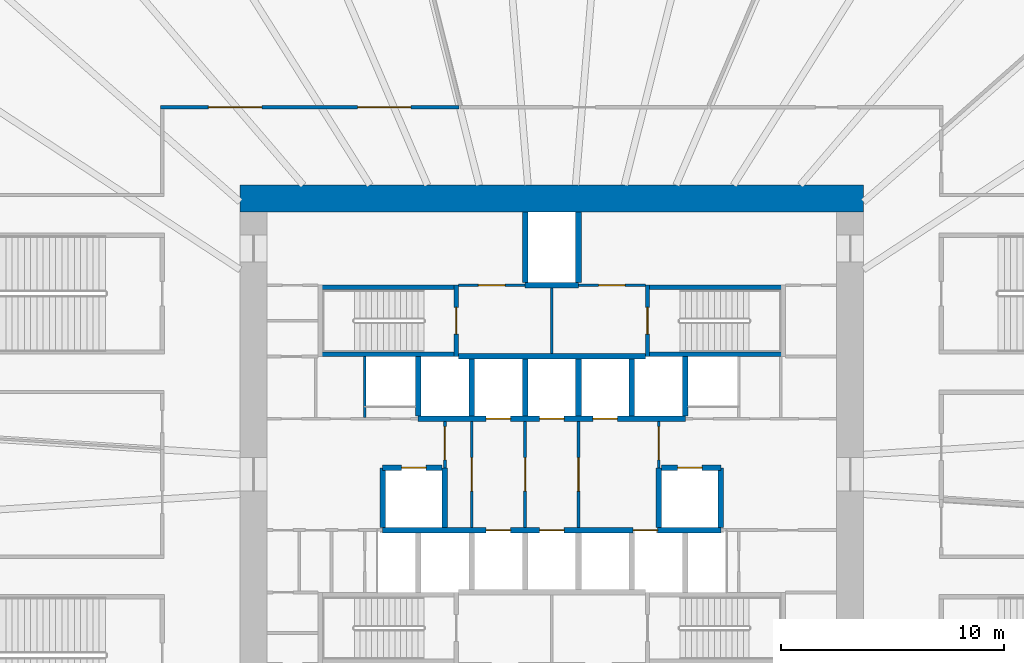
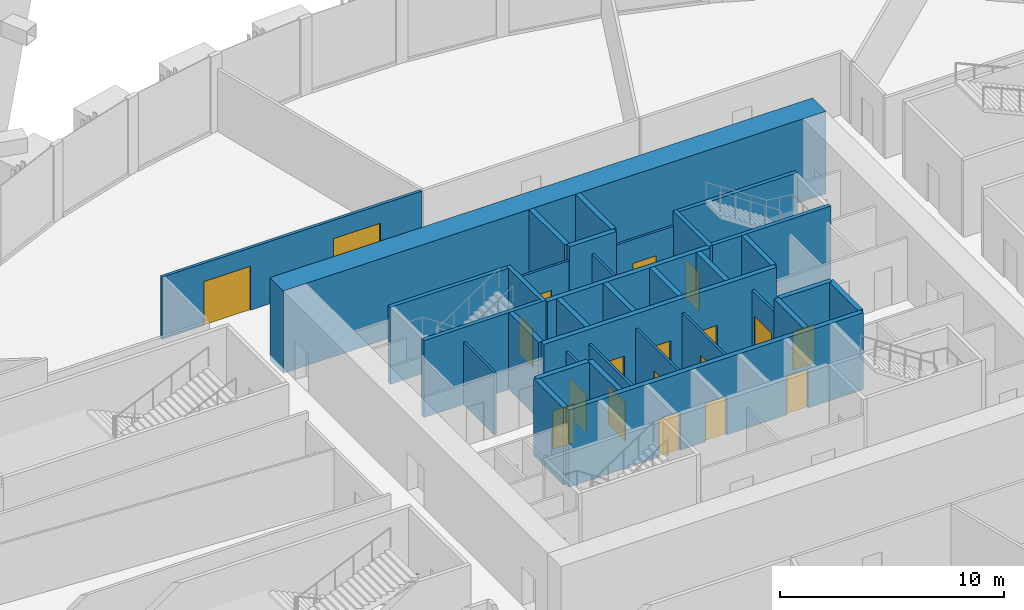
# One storey, part 10 of 23: 35 walls, 19 doors, 19 openings.
"""IFC4 building model written with IfcOpenShell, lengths in metres."""

from ifc_helpers import new_model, si_unit, direction, frame, frame_2d, origin, place, context, subcontext, project, spatial, rectangle, extrude, source, transform, mapped, material, layer, layer_set, type_object, element, fill, save


model = new_model("IFC4")

# Units and contexts
model_context = context("Model", 3, precision=1e-05, world=origin(), true_north=direction((0.0, 1.0)))
body_context = subcontext(model_context, "Body", "Model", "MODEL_VIEW")
ifc_project = project(units=[si_unit("LENGTHUNIT", "METRE"), si_unit("AREAUNIT", "SQUARE_METRE"), si_unit("VOLUMEUNIT", "CUBIC_METRE"), si_unit("PLANEANGLEUNIT", "RADIAN"), si_unit("MASSUNIT", "GRAM", prefix="KILO")], contexts=[model_context])

# Site, building, storey
site_placement = place(None, origin())
site = spatial("IfcSite", under=ifc_project, at=site_placement, CompositionType="ELEMENT")
building_placement = place(site_placement, origin())
building = spatial("IfcBuilding", under=site, at=building_placement, Name="Embergate Tower", CompositionType="ELEMENT")
storey_placement = place(building_placement, frame((0.0, 0.0, 29.0)))
storey = spatial("IfcBuildingStorey", under=building, at=storey_placement, Name="L03", CompositionType="ELEMENT", Elevation=29.0)

# Walls
ifc_material_1 = material(Name="Concrete C80", Category="concrete")
ifc_layer_1 = layer(ifc_material_1, 1.199951171875)
ifc_layer_set_1 = layer_set([ifc_layer_1], Name="Concrete C80")
wall_type_1 = type_object("IfcWallType", Name="Core outer wall C80 1200", PredefinedType="SHEAR", material=ifc_layer_set_1)
shared_shape_1 = source(origin(), body_context, "Body", "SweptSolid", [
    extrude(rectangle(XDim=28.0, YDim=1.199951171875, at=frame_2d((14.0, 0.0))), origin(), (0.0, 0.0, 1.0), 4.5),
])
wall_1_placement = place(storey_placement, frame((-14.0, 12.39990234375, -0.300048828125), z_axis=(0.0, 0.0, 1.0), x_axis=(1.0, 0.0, 0.0)))
element("IfcWall", 1, at=wall_1_placement, inside=storey, type_object=wall_type_1, Name="CW-L03-N", PredefinedType="SHEAR", context=body_context, shape_type="MappedRepresentation", body=[
    mapped(shared_shape_1, transform((0.0, 0.0, 0.0))),
])
ifc_material_2 = material(Name="Concrete C50", Category="concrete")
ifc_layer_2 = layer(ifc_material_2, 0.25)
ifc_layer_set_2 = layer_set([ifc_layer_2], Name="Concrete C50")
wall_type_2 = type_object("IfcWallType", Name="Hoistway wall reinforced concrete 250", PredefinedType="SHEAR", material=ifc_layer_set_2)
shared_shape_2 = source(origin(), body_context, "Body", "SweptSolid", [
    extrude(rectangle(XDim=2.675048828125, YDim=0.25, at=frame_2d((1.33740234375, 0.0))), origin(), (0.0, 0.0, 1.0), 4.199951171875),
])
for number, where, z_axis, x_axis, name in (
    (2, (-6.0, 2.625, 0.0), (0.0, 0.0, 1.0), (0.0, 1.0, 0.0), "HW-1 wall"),
    (3, (6.0, 2.625, 0.0), (0.0, 0.0, 1.0), (0.0, 1.0, 0.0), "HW-1 wall"),
    (4, (-4.800048828125, 0.300048828125, 0.0), (0.0, 0.0, 1.0), (0.0, -1.0, 0.0), "HW-1 wall"),
    (5, (4.800048828125, -2.375, 0.0), (0.0, 0.0, 1.0), (0.0, 1.0, 0.0), "HW-1 wall"),
):
    element("IfcWall", number, at=place(storey_placement, frame(where, z_axis=z_axis, x_axis=x_axis)), inside=storey, type_object=wall_type_2, Name=name, PredefinedType="SHEAR", context=body_context, shape_type="MappedRepresentation", body=[
        mapped(shared_shape_2, transform((0.0, 0.0, 0.0))),
    ])

# Wall, opening, door
wall_2_placement = place(storey_placement, frame((-4.925048828125, 0.300048828125, 0.0), z_axis=(0.0, 0.0, 1.0), x_axis=(-1.0, 0.0, 0.0)))
wall_2 = element("IfcWall", 6, at=wall_2_placement, inside=storey, type_object=wall_type_2, Name="HW-1 wall", PredefinedType="SHEAR", context=body_context, shape_type="MappedRepresentation", body=[
    mapped(shared_shape_2, transform((0.0, 0.0, 0.0))),
])
shared_shape_3 = source(origin(), body_context, "Body", "SweptSolid", [
    extrude(rectangle(XDim=1.10009765625, YDim=2.10009765625, at=frame_2d((0.550048828125, 1.050048828125))), frame((0.0, 0.135009765625, 0.0), z_axis=(0.0, -1.0, 0.0), x_axis=(1.0, 0.0, 0.0)), (0.0, 0.0, 1.0), 0.27001953125),
])
opening_1_placement = place(wall_2_placement, frame((0.72509765625, 0.0, 0.0)))
opening_1 = element("IfcOpeningElement", 7, at=opening_1_placement, cuts=wall_2, Name="Opening LD", PredefinedType="OPENING", context=body_context, shape_type="MappedRepresentation", body=[
    mapped(shared_shape_3, transform((0.0, 0.0, 0.0))),
])
ifc_material_3 = material(Name="Landing door sliding 1100")
door_type_1 = type_object("IfcDoorType", Name="Landing door sliding 1100", OperationType="SLIDING_TO_LEFT", PredefinedType="DOOR", material=ifc_material_3)
shared_shape_4 = source(origin(), body_context, "Body", "SweptSolid", [
    extrude(rectangle(XDim=1.10009765625, YDim=2.10009765625, at=frame_2d((0.550048828125, 1.050048828125))), frame((0.0, 0.02490234375, 0.0), z_axis=(0.0, -1.0, 0.0), x_axis=(1.0, 0.0, 0.0)), (0.0, 0.0, 1.0), 0.050048828125),
])
door_1_placement = place(opening_1_placement, origin())
door_1 = element("IfcDoor", 8, at=door_1_placement, inside=storey, type_object=door_type_1, Name="LD door", OperationType="SLIDING_TO_LEFT", OverallHeight=2.10009765625, OverallWidth=1.10009765625, PredefinedType="DOOR", context=body_context, shape_type="MappedRepresentation", body=[
    mapped(shared_shape_4, transform((0.0, 0.0, 0.0))),
])
fill(opening_1, door_1)

# Wall
wall_3_placement = place(storey_placement, frame((-7.60009765625, 0.300048828125, 0.0), z_axis=(0.0, 0.0, 1.0), x_axis=(0.0, -1.0, 0.0)))
element("IfcWall", 9, at=wall_3_placement, inside=storey, type_object=wall_type_2, Name="HW-1 wall", PredefinedType="SHEAR", context=body_context, shape_type="MappedRepresentation", body=[
    mapped(shared_shape_2, transform((0.0, 0.0, 0.0))),
])

# Wall, opening, door
wall_4_placement = place(storey_placement, frame((7.60009765625, 0.300048828125, 0.0), z_axis=(0.0, 0.0, 1.0), x_axis=(-1.0, 0.0, 0.0)))
wall_4 = element("IfcWall", 10, at=wall_4_placement, inside=storey, type_object=wall_type_2, Name="HW-1 wall", PredefinedType="SHEAR", context=body_context, shape_type="MappedRepresentation", body=[
    mapped(shared_shape_2, transform((0.0, 0.0, 0.0))),
])
opening_2_placement = place(wall_4_placement, frame((0.85009765625, 0.0, 0.0)))
opening_2 = element("IfcOpeningElement", 11, at=opening_2_placement, cuts=wall_4, Name="Opening LD", PredefinedType="OPENING", context=body_context, shape_type="MappedRepresentation", body=[
    mapped(shared_shape_3, transform((0.0, 0.0, 0.0))),
])
door_2_placement = place(opening_2_placement, origin())
door_2 = element("IfcDoor", 12, at=door_2_placement, inside=storey, type_object=door_type_1, Name="LD door", OperationType="SLIDING_TO_LEFT", OverallHeight=2.10009765625, OverallWidth=1.10009765625, PredefinedType="DOOR", context=body_context, shape_type="MappedRepresentation", body=[
    mapped(shared_shape_4, transform((0.0, 0.0, 0.0))),
])
fill(opening_2, door_2)

# Walls
wall_5_placement = place(storey_placement, frame((7.60009765625, -2.375, 0.0), z_axis=(0.0, 0.0, 1.0), x_axis=(0.0, 1.0, 0.0)))
element("IfcWall", 13, at=wall_5_placement, inside=storey, type_object=wall_type_2, Name="HW-1 wall", PredefinedType="SHEAR", context=body_context, shape_type="MappedRepresentation", body=[
    mapped(shared_shape_2, transform((0.0, 0.0, 0.0))),
])
ifc_layer_3 = layer(ifc_material_2, 0.199951171875)
ifc_layer_set_3 = layer_set([ifc_layer_3], Name="Concrete C50")
wall_type_3 = type_object("IfcWallType", Name="Stair enclosure wall reinforced concrete 250", PredefinedType="SHEAR", material=ifc_layer_set_3)
shared_shape_5 = source(origin(), body_context, "Body", "SweptSolid", [
    extrude(rectangle(XDim=6.300048828125, YDim=0.199951171875, at=frame_2d((3.14990234375, 0.0))), origin(), (0.0, 0.0, 1.0), 4.199951171875),
])
for number, where, z_axis, x_axis, name in (
    (14, (-4.199951171875, 5.39990234375, 0.0), (0.0, 0.0, 1.0), (-1.0, 0.0, 0.0), "SE-1 wall"),
    (15, (10.5, 5.39990234375, 0.0), (0.0, 0.0, 1.0), (-1.0, 0.0, 0.0), "SE-1 wall"),
    (16, (-4.199951171875, 8.39990234375, 0.0), (0.0, 0.0, 1.0), (-1.0, 0.0, 0.0), "SE-1 wall"),
    (17, (10.5, 8.39990234375, 0.0), (0.0, 0.0, 1.0), (-1.0, 0.0, 0.0), "SE-1 wall"),
):
    element("IfcWall", number, at=place(storey_placement, frame(where, z_axis=z_axis, x_axis=x_axis)), inside=storey, type_object=wall_type_3, Name=name, PredefinedType="SHEAR", context=body_context, shape_type="MappedRepresentation", body=[
        mapped(shared_shape_5, transform((0.0, 0.0, 0.0))),
    ])
ifc_material_4 = material(Name="Core partition blockwork 120")
ifc_layer_4 = layer(ifc_material_4, 0.1201171875)
ifc_layer_set_4 = layer_set([ifc_layer_4], Name="Core partition blockwork 120")
wall_type_4 = type_object("IfcWallType", Name="Core partition blockwork 120", PredefinedType="PARTITIONING", material=ifc_layer_set_4)
shared_shape_6 = source(origin(), body_context, "Body", "SweptSolid", [
    extrude(rectangle(XDim=2.739990234375, YDim=0.1201171875, at=frame_2d((1.3701171875, 0.0))), origin(), (0.0, 0.0, 1.0), 3.39990234375),
])
wall_6_placement = place(storey_placement, frame((-8.39990234375, 5.300048828125, 0.0), z_axis=(0.0, 0.0, 1.0), x_axis=(0.0, -1.0, 0.0)))
element("IfcWall", 18, at=wall_6_placement, inside=storey, type_object=wall_type_4, Name="IP-3 wall", PredefinedType="PARTITIONING", context=body_context, shape_type="MappedRepresentation", body=[
    mapped(shared_shape_6, transform((0.0, 0.0, 0.0))),
])
shared_shape_7 = source(origin(), body_context, "Body", "SweptSolid", [
    extrude(rectangle(XDim=2.550048828125, YDim=0.25, at=frame_2d((1.27490234375, 0.0))), origin(), (0.0, 0.0, 1.0), 4.199951171875),
])
for number, where, z_axis, x_axis, name in (
    (19, (-3.60009765625, 2.625, 0.0), (0.0, 0.0, 1.0), (0.0, 1.0, 0.0), "HW-1 wall"),
    (20, (-1.199951171875, 2.625, 0.0), (0.0, 0.0, 1.0), (0.0, 1.0, 0.0), "HW-1 wall"),
    (21, (1.199951171875, 2.625, 0.0), (0.0, 0.0, 1.0), (0.0, 1.0, 0.0), "HW-1 wall"),
    (22, (3.60009765625, 2.625, 0.0), (0.0, 0.0, 1.0), (0.0, 1.0, 0.0), "HW-1 wall"),
):
    element("IfcWall", number, at=place(storey_placement, frame(where, z_axis=z_axis, x_axis=x_axis)), inside=storey, type_object=wall_type_2, Name=name, PredefinedType="SHEAR", context=body_context, shape_type="MappedRepresentation", body=[
        mapped(shared_shape_7, transform((0.0, 0.0, 0.0))),
    ])

# Wall, openings, doors
shared_shape_8 = source(origin(), body_context, "Body", "SweptSolid", [
    extrude(rectangle(XDim=12.0, YDim=0.25, at=frame_2d((6.0, 0.0))), origin(), (0.0, 0.0, 1.0), 4.199951171875),
])
wall_7_placement = place(storey_placement, frame((-6.0, 2.5, 0.0), z_axis=(0.0, 0.0, 1.0), x_axis=(1.0, 0.0, 0.0)))
wall_7 = element("IfcWall", 23, at=wall_7_placement, inside=storey, type_object=wall_type_2, Name="HW-1 wall", PredefinedType="SHEAR", context=body_context, shape_type="MappedRepresentation", body=[
    mapped(shared_shape_8, transform((0.0, 0.0, 0.0))),
])
opening_3_placement = place(wall_7_placement, frame((3.050048828125, 0.0, 0.0)))
opening_3 = element("IfcOpeningElement", 24, at=opening_3_placement, cuts=wall_7, Name="Opening LD", PredefinedType="OPENING", context=body_context, shape_type="MappedRepresentation", body=[
    mapped(shared_shape_3, transform((0.0, 0.0, 0.0))),
])
opening_4_placement = place(wall_7_placement, frame((5.449951171875, 0.0, 0.0)))
opening_4 = element("IfcOpeningElement", 25, at=opening_4_placement, cuts=wall_7, Name="Opening LD", PredefinedType="OPENING", context=body_context, shape_type="MappedRepresentation", body=[
    mapped(shared_shape_3, transform((0.0, 0.0, 0.0))),
])
opening_5_placement = place(wall_7_placement, frame((7.85009765625, 0.0, 0.0)))
opening_5 = element("IfcOpeningElement", 26, at=opening_5_placement, cuts=wall_7, Name="Opening LD", PredefinedType="OPENING", context=body_context, shape_type="MappedRepresentation", body=[
    mapped(shared_shape_3, transform((0.0, 0.0, 0.0))),
])
door_3_placement = place(opening_3_placement, origin())
door_3 = element("IfcDoor", 27, at=door_3_placement, inside=storey, type_object=door_type_1, Name="LD door", OperationType="SLIDING_TO_RIGHT", OverallHeight=2.10009765625, OverallWidth=1.10009765625, PredefinedType="DOOR", context=body_context, shape_type="MappedRepresentation", body=[
    mapped(shared_shape_4, transform((0.0, 0.0, 0.0))),
])
fill(opening_3, door_3)
door_4_placement = place(opening_4_placement, origin())
door_4 = element("IfcDoor", 28, at=door_4_placement, inside=storey, type_object=door_type_1, Name="LD door", OperationType="SLIDING_TO_RIGHT", OverallHeight=2.10009765625, OverallWidth=1.10009765625, PredefinedType="DOOR", context=body_context, shape_type="MappedRepresentation", body=[
    mapped(shared_shape_4, transform((0.0, 0.0, 0.0))),
])
fill(opening_4, door_4)
door_5_placement = place(opening_5_placement, origin())
door_5 = element("IfcDoor", 29, at=door_5_placement, inside=storey, type_object=door_type_1, Name="LD door", OperationType="SLIDING_TO_RIGHT", OverallHeight=2.10009765625, OverallWidth=1.10009765625, PredefinedType="DOOR", context=body_context, shape_type="MappedRepresentation", body=[
    mapped(shared_shape_4, transform((0.0, 0.0, 0.0))),
])
fill(opening_5, door_5)

# Wall
shared_shape_9 = source(origin(), body_context, "Body", "SweptSolid", [
    extrude(rectangle(XDim=8.39990234375, YDim=0.25, at=frame_2d((4.199951171875, 0.0))), origin(), (0.0, 0.0, 1.0), 4.199951171875),
])
wall_8_placement = place(storey_placement, frame((4.199951171875, 5.300048828125, 0.0), z_axis=(0.0, 0.0, 1.0), x_axis=(-1.0, 0.0, 0.0)))
element("IfcWall", 30, at=wall_8_placement, inside=storey, type_object=wall_type_2, Name="HW-1 wall", PredefinedType="SHEAR", context=body_context, shape_type="MappedRepresentation", body=[
    mapped(shared_shape_9, transform((0.0, 0.0, 0.0))),
])

# Wall, openings, doors
shared_shape_10 = source(origin(), body_context, "Body", "SweptSolid", [
    extrude(rectangle(XDim=15.2001953125, YDim=0.25, at=frame_2d((7.60009765625, 0.0))), origin(), (0.0, 0.0, 1.0), 4.199951171875),
])
wall_9_placement = place(storey_placement, frame((7.60009765625, -2.5, 0.0), z_axis=(0.0, 0.0, 1.0), x_axis=(-1.0, 0.0, 0.0)))
wall_9 = element("IfcWall", 31, at=wall_9_placement, inside=storey, type_object=wall_type_2, Name="HW-1 wall", PredefinedType="SHEAR", context=body_context, shape_type="MappedRepresentation", body=[
    mapped(shared_shape_10, transform((0.0, 0.0, 0.0))),
])
opening_6_placement = place(wall_9_placement, frame((9.449951171875, 0.0, 0.0)))
opening_6 = element("IfcOpeningElement", 32, at=opening_6_placement, cuts=wall_9, Name="Opening LD", PredefinedType="OPENING", context=body_context, shape_type="MappedRepresentation", body=[
    mapped(shared_shape_3, transform((0.0, 0.0, 0.0))),
])
opening_7_placement = place(wall_9_placement, frame((7.050048828125, 0.0, 0.0)))
opening_7 = element("IfcOpeningElement", 33, at=opening_7_placement, cuts=wall_9, Name="Opening LD", PredefinedType="OPENING", context=body_context, shape_type="MappedRepresentation", body=[
    mapped(shared_shape_3, transform((0.0, 0.0, 0.0))),
])
opening_8_placement = place(wall_9_placement, frame((2.85009765625, 0.0, 0.0)))
opening_8 = element("IfcOpeningElement", 34, at=opening_8_placement, cuts=wall_9, Name="Opening LD", PredefinedType="OPENING", context=body_context, shape_type="MappedRepresentation", body=[
    mapped(shared_shape_3, transform((0.0, 0.0, 0.0))),
])
door_6_placement = place(opening_6_placement, origin())
door_6 = element("IfcDoor", 35, at=door_6_placement, inside=storey, type_object=door_type_1, Name="LD door", OperationType="SLIDING_TO_RIGHT", OverallHeight=2.10009765625, OverallWidth=1.10009765625, PredefinedType="DOOR", context=body_context, shape_type="MappedRepresentation", body=[
    mapped(shared_shape_4, transform((0.0, 0.0, 0.0))),
])
fill(opening_6, door_6)
door_7_placement = place(opening_7_placement, origin())
door_7 = element("IfcDoor", 36, at=door_7_placement, inside=storey, type_object=door_type_1, Name="LD door", OperationType="SLIDING_TO_LEFT", OverallHeight=2.10009765625, OverallWidth=1.10009765625, PredefinedType="DOOR", context=body_context, shape_type="MappedRepresentation", body=[
    mapped(shared_shape_4, transform((0.0, 0.0, 0.0))),
])
fill(opening_7, door_7)
door_8_placement = place(opening_8_placement, origin())
door_8 = element("IfcDoor", 37, at=door_8_placement, inside=storey, type_object=door_type_1, Name="LD door", OperationType="SLIDING_TO_LEFT", OverallHeight=2.10009765625, OverallWidth=1.10009765625, PredefinedType="DOOR", context=body_context, shape_type="MappedRepresentation", body=[
    mapped(shared_shape_4, transform((0.0, 0.0, 0.0))),
])
fill(opening_8, door_8)

# Wall, opening, door
shared_shape_11 = source(origin(), body_context, "Body", "SweptSolid", [
    extrude(rectangle(XDim=4.75, YDim=0.1201171875, at=frame_2d((2.375, 0.0))), origin(), (0.0, 0.0, 1.0), 3.39990234375),
])
wall_10_placement = place(storey_placement, frame((-3.60009765625, -2.375, 0.0), z_axis=(0.0, 0.0, 1.0), x_axis=(0.0, 1.0, 0.0)))
wall_10 = element("IfcWall", 38, at=wall_10_placement, inside=storey, type_object=wall_type_4, Name="IP-3 wall", PredefinedType="PARTITIONING", context=body_context, shape_type="MappedRepresentation", body=[
    mapped(shared_shape_11, transform((0.0, 0.0, 0.0))),
])
shared_shape_12 = source(origin(), body_context, "Body", "SweptSolid", [
    extrude(rectangle(XDim=1.5, YDim=2.10009765625, at=frame_2d((0.75, 1.050048828125))), frame((0.0, 0.070068359375, 0.0), z_axis=(0.0, -1.0, 0.0), x_axis=(1.0, 0.0, 0.0)), (0.0, 0.0, 1.0), 0.14013671875),
])
opening_9_placement = place(wall_10_placement, frame((1.625, 0.0, 0.0)))
opening_9 = element("IfcOpeningElement", 39, at=opening_9_placement, cuts=wall_10, Name="Opening IF-3", PredefinedType="OPENING", context=body_context, shape_type="MappedRepresentation", body=[
    mapped(shared_shape_12, transform((0.0, 0.0, 0.0))),
])
ifc_material_5 = material(Name="Lobby fire door pair 1500")
door_type_2 = type_object("IfcDoorType", Name="Lobby fire door pair 1500", OperationType="DOUBLE_DOOR_SINGLE_SWING", PredefinedType="DOOR", material=ifc_material_5)
shared_shape_13 = source(origin(), body_context, "Body", "SweptSolid", [
    extrude(rectangle(XDim=1.5, YDim=2.10009765625, at=frame_2d((0.75, 1.050048828125))), frame((0.0, 0.02490234375, 0.0), z_axis=(0.0, -1.0, 0.0), x_axis=(1.0, 0.0, 0.0)), (0.0, 0.0, 1.0), 0.050048828125),
])
door_9_placement = place(opening_9_placement, origin())
door_9 = element("IfcDoor", 40, at=door_9_placement, inside=storey, type_object=door_type_2, Name="IF-3 door", OperationType="DOUBLE_DOOR_SINGLE_SWING", OverallHeight=2.10009765625, OverallWidth=1.5, PredefinedType="DOOR", context=body_context, shape_type="MappedRepresentation", body=[
    mapped(shared_shape_13, transform((0.0, 0.0, 0.0))),
])
fill(opening_9, door_9)

wall_11_placement = place(storey_placement, frame((-1.199951171875, -2.375, 0.0), z_axis=(0.0, 0.0, 1.0), x_axis=(0.0, 1.0, 0.0)))
wall_11 = element("IfcWall", 41, at=wall_11_placement, inside=storey, type_object=wall_type_4, Name="IP-3 wall", PredefinedType="PARTITIONING", context=body_context, shape_type="MappedRepresentation", body=[
    mapped(shared_shape_11, transform((0.0, 0.0, 0.0))),
])
opening_10_placement = place(wall_11_placement, frame((1.625, 0.0, 0.0)))
opening_10 = element("IfcOpeningElement", 42, at=opening_10_placement, cuts=wall_11, Name="Opening IF-3", PredefinedType="OPENING", context=body_context, shape_type="MappedRepresentation", body=[
    mapped(shared_shape_12, transform((0.0, 0.0, 0.0))),
])
door_10_placement = place(opening_10_placement, origin())
door_10 = element("IfcDoor", 43, at=door_10_placement, inside=storey, type_object=door_type_2, Name="IF-3 door", OperationType="DOUBLE_DOOR_SINGLE_SWING", OverallHeight=2.10009765625, OverallWidth=1.5, PredefinedType="DOOR", context=body_context, shape_type="MappedRepresentation", body=[
    mapped(shared_shape_13, transform((0.0, 0.0, 0.0))),
])
fill(opening_10, door_10)

wall_12_placement = place(storey_placement, frame((1.199951171875, -2.375, 0.0), z_axis=(0.0, 0.0, 1.0), x_axis=(0.0, 1.0, 0.0)))
wall_12 = element("IfcWall", 44, at=wall_12_placement, inside=storey, type_object=wall_type_4, Name="IP-3 wall", PredefinedType="PARTITIONING", context=body_context, shape_type="MappedRepresentation", body=[
    mapped(shared_shape_11, transform((0.0, 0.0, 0.0))),
])
opening_11_placement = place(wall_12_placement, frame((1.625, 0.0, 0.0)))
opening_11 = element("IfcOpeningElement", 45, at=opening_11_placement, cuts=wall_12, Name="Opening IF-3", PredefinedType="OPENING", context=body_context, shape_type="MappedRepresentation", body=[
    mapped(shared_shape_12, transform((0.0, 0.0, 0.0))),
])
door_11_placement = place(opening_11_placement, origin())
door_11 = element("IfcDoor", 46, at=door_11_placement, inside=storey, type_object=door_type_2, Name="IF-3 door", OperationType="DOUBLE_DOOR_SINGLE_SWING", OverallHeight=2.10009765625, OverallWidth=1.5, PredefinedType="DOOR", context=body_context, shape_type="MappedRepresentation", body=[
    mapped(shared_shape_13, transform((0.0, 0.0, 0.0))),
])
fill(opening_11, door_11)

shared_shape_14 = source(origin(), body_context, "Body", "SweptSolid", [
    extrude(rectangle(XDim=2.074951171875, YDim=0.1201171875, at=frame_2d((1.03759765625, 0.0))), origin(), (0.0, 0.0, 1.0), 3.39990234375),
])
wall_13_placement = place(storey_placement, frame((-4.800048828125, 2.375, 0.0), z_axis=(0.0, 0.0, 1.0), x_axis=(0.0, -1.0, 0.0)))
wall_13 = element("IfcWall", 47, at=wall_13_placement, inside=storey, type_object=wall_type_4, Name="IP-3 wall", PredefinedType="PARTITIONING", context=body_context, shape_type="MappedRepresentation", body=[
    mapped(shared_shape_14, transform((0.0, 0.0, 0.0))),
])
opening_12_placement = place(wall_13_placement, frame((0.22509765625, 0.0, 0.0)))
opening_12 = element("IfcOpeningElement", 48, at=opening_12_placement, cuts=wall_13, Name="Opening IF-3", PredefinedType="OPENING", context=body_context, shape_type="MappedRepresentation", body=[
    mapped(shared_shape_12, transform((0.0, 0.0, 0.0))),
])
door_12_placement = place(opening_12_placement, origin())
door_12 = element("IfcDoor", 49, at=door_12_placement, inside=storey, type_object=door_type_2, Name="IF-3 door", OperationType="DOUBLE_DOOR_SINGLE_SWING", OverallHeight=2.10009765625, OverallWidth=1.5, PredefinedType="DOOR", context=body_context, shape_type="MappedRepresentation", body=[
    mapped(shared_shape_13, transform((0.0, 0.0, 0.0))),
])
fill(opening_12, door_12)

wall_14_placement = place(storey_placement, frame((4.800048828125, 0.300048828125, 0.0), z_axis=(0.0, 0.0, 1.0), x_axis=(0.0, 1.0, 0.0)))
wall_14 = element("IfcWall", 50, at=wall_14_placement, inside=storey, type_object=wall_type_4, Name="IP-3 wall", PredefinedType="PARTITIONING", context=body_context, shape_type="MappedRepresentation", body=[
    mapped(shared_shape_14, transform((0.0, 0.0, 0.0))),
])
opening_13_placement = place(wall_14_placement, frame((0.35009765625, 0.0, 0.0)))
opening_13 = element("IfcOpeningElement", 51, at=opening_13_placement, cuts=wall_14, Name="Opening IF-3", PredefinedType="OPENING", context=body_context, shape_type="MappedRepresentation", body=[
    mapped(shared_shape_12, transform((0.0, 0.0, 0.0))),
])
door_13_placement = place(opening_13_placement, origin())
door_13 = element("IfcDoor", 52, at=door_13_placement, inside=storey, type_object=door_type_2, Name="IF-3 door", OperationType="DOUBLE_DOOR_SINGLE_SWING", OverallHeight=2.10009765625, OverallWidth=1.5, PredefinedType="DOOR", context=body_context, shape_type="MappedRepresentation", body=[
    mapped(shared_shape_13, transform((0.0, 0.0, 0.0))),
])
fill(opening_13, door_13)

shared_shape_15 = source(origin(), body_context, "Body", "SweptSolid", [
    extrude(rectangle(XDim=3.199951171875, YDim=0.199951171875, at=frame_2d((1.60009765625, 0.0))), origin(), (0.0, 0.0, 1.0), 4.199951171875),
])
wall_15_placement = place(storey_placement, frame((-4.300048828125, 5.300048828125, 0.0), z_axis=(0.0, 0.0, 1.0), x_axis=(0.0, 1.0, 0.0)))
wall_15 = element("IfcWall", 53, at=wall_15_placement, inside=storey, type_object=wall_type_3, Name="SE-1 wall", PredefinedType="SHEAR", context=body_context, shape_type="MappedRepresentation", body=[
    mapped(shared_shape_15, transform((0.0, 0.0, 0.0))),
])
shared_shape_16 = source(origin(), body_context, "Body", "SweptSolid", [
    extrude(rectangle(XDim=1.199951171875, YDim=2.10009765625, at=frame_2d((0.60009765625, 1.050048828125))), frame((0.0, 0.10986328125, 0.0), z_axis=(0.0, -1.0, 0.0), x_axis=(1.0, 0.0, 0.0)), (0.0, 0.0, 1.0), 0.219970703125),
])
opening_14_placement = place(wall_15_placement, frame((1.0, 0.0, 0.0)))
opening_14 = element("IfcOpeningElement", 54, at=opening_14_placement, cuts=wall_15, Name="Opening IF-2", PredefinedType="OPENING", context=body_context, shape_type="MappedRepresentation", body=[
    mapped(shared_shape_16, transform((0.0, 0.0, 0.0))),
])
ifc_material_6 = material(Name="Stair enclosure door 1200")
door_type_3 = type_object("IfcDoorType", Name="Stair enclosure door 1200", OperationType="SINGLE_SWING_LEFT", PredefinedType="DOOR", material=ifc_material_6)
shared_shape_17 = source(origin(), body_context, "Body", "SweptSolid", [
    extrude(rectangle(XDim=1.199951171875, YDim=2.10009765625, at=frame_2d((0.60009765625, 1.050048828125))), frame((0.0, 0.02490234375, 0.0), z_axis=(0.0, -1.0, 0.0), x_axis=(1.0, 0.0, 0.0)), (0.0, 0.0, 1.0), 0.050048828125),
])
door_14_placement = place(opening_14_placement, origin())
door_14 = element("IfcDoor", 55, at=door_14_placement, inside=storey, type_object=door_type_3, Name="IF-2 door", OperationType="SINGLE_SWING_RIGHT", OverallHeight=2.10009765625, OverallWidth=1.199951171875, PredefinedType="DOOR", context=body_context, shape_type="MappedRepresentation", body=[
    mapped(shared_shape_17, transform((0.0, 0.0, 0.0))),
])
fill(opening_14, door_14)

wall_16_placement = place(storey_placement, frame((4.300048828125, 8.5, 0.0), z_axis=(0.0, 0.0, 1.0), x_axis=(0.0, -1.0, 0.0)))
wall_16 = element("IfcWall", 56, at=wall_16_placement, inside=storey, type_object=wall_type_3, Name="SE-1 wall", PredefinedType="SHEAR", context=body_context, shape_type="MappedRepresentation", body=[
    mapped(shared_shape_15, transform((0.0, 0.0, 0.0))),
])
opening_15_placement = place(wall_16_placement, frame((1.0, 0.0, 0.0)))
opening_15 = element("IfcOpeningElement", 57, at=opening_15_placement, cuts=wall_16, Name="Opening IF-2", PredefinedType="OPENING", context=body_context, shape_type="MappedRepresentation", body=[
    mapped(shared_shape_16, transform((0.0, 0.0, 0.0))),
])
door_15_placement = place(opening_15_placement, origin())
door_15 = element("IfcDoor", 58, at=door_15_placement, inside=storey, type_object=door_type_3, Name="IF-2 door", OperationType="SINGLE_SWING_LEFT", OverallHeight=2.10009765625, OverallWidth=1.199951171875, PredefinedType="DOOR", context=body_context, shape_type="MappedRepresentation", body=[
    mapped(shared_shape_17, transform((0.0, 0.0, 0.0))),
])
fill(opening_15, door_15)

# Wall
shared_shape_18 = source(origin(), body_context, "Body", "SweptSolid", [
    extrude(rectangle(XDim=2.949951171875, YDim=0.1201171875, at=frame_2d((1.47509765625, 0.0))), origin(), (0.0, 0.0, 1.0), 3.39990234375),
])
wall_17_placement = place(storey_placement, frame((0.0, 5.425048828125, 0.0), z_axis=(0.0, 0.0, 1.0), x_axis=(0.0, 1.0, 0.0)))
element("IfcWall", 59, at=wall_17_placement, inside=storey, type_object=wall_type_4, Name="IP-3 wall", PredefinedType="PARTITIONING", context=body_context, shape_type="MappedRepresentation", body=[
    mapped(shared_shape_18, transform((0.0, 0.0, 0.0))),
])

# Wall, opening, door
shared_shape_19 = source(origin(), body_context, "Body", "SweptSolid", [
    extrude(rectangle(XDim=3.0, YDim=0.1201171875, at=frame_2d((1.5, 0.0))), origin(), (0.0, 0.0, 1.0), 3.39990234375),
])
wall_18_placement = place(storey_placement, frame((-1.199951171875, 8.5, 0.0), z_axis=(0.0, 0.0, 1.0), x_axis=(-1.0, 0.0, 0.0)))
wall_18 = element("IfcWall", 60, at=wall_18_placement, inside=storey, type_object=wall_type_4, Name="IP-3 wall", PredefinedType="PARTITIONING", context=body_context, shape_type="MappedRepresentation", body=[
    mapped(shared_shape_19, transform((0.0, 0.0, 0.0))),
])
shared_shape_20 = source(origin(), body_context, "Body", "SweptSolid", [
    extrude(rectangle(XDim=1.199951171875, YDim=2.10009765625, at=frame_2d((0.60009765625, 1.050048828125))), frame((0.0, 0.070068359375, 0.0), z_axis=(0.0, -1.0, 0.0), x_axis=(1.0, 0.0, 0.0)), (0.0, 0.0, 1.0), 0.14013671875),
])
opening_16_placement = place(wall_18_placement, frame((0.89990234375, 0.0, 0.0)))
opening_16 = element("IfcOpeningElement", 61, at=opening_16_placement, cuts=wall_18, Name="Opening IF-3f", PredefinedType="OPENING", context=body_context, shape_type="MappedRepresentation", body=[
    mapped(shared_shape_20, transform((0.0, 0.0, 0.0))),
])
ifc_material_7 = material(Name="Lobby fire door pair 1200")
door_type_4 = type_object("IfcDoorType", Name="Lobby fire door pair 1200", OperationType="DOUBLE_DOOR_SINGLE_SWING", PredefinedType="DOOR", material=ifc_material_7)
door_16_placement = place(opening_16_placement, origin())
door_16 = element("IfcDoor", 62, at=door_16_placement, inside=storey, type_object=door_type_4, Name="IF-3 door", OperationType="DOUBLE_DOOR_SINGLE_SWING", OverallHeight=2.10009765625, OverallWidth=1.199951171875, PredefinedType="DOOR", context=body_context, shape_type="MappedRepresentation", body=[
    mapped(shared_shape_17, transform((0.0, 0.0, 0.0))),
])
fill(opening_16, door_16)

wall_19_placement = place(storey_placement, frame((4.199951171875, 8.5, 0.0), z_axis=(0.0, 0.0, 1.0), x_axis=(-1.0, 0.0, 0.0)))
wall_19 = element("IfcWall", 63, at=wall_19_placement, inside=storey, type_object=wall_type_4, Name="IP-3 wall", PredefinedType="PARTITIONING", context=body_context, shape_type="MappedRepresentation", body=[
    mapped(shared_shape_19, transform((0.0, 0.0, 0.0))),
])
opening_17_placement = place(wall_19_placement, frame((0.89990234375, 0.0, 0.0)))
opening_17 = element("IfcOpeningElement", 64, at=opening_17_placement, cuts=wall_19, Name="Opening IF-3f", PredefinedType="OPENING", context=body_context, shape_type="MappedRepresentation", body=[
    mapped(shared_shape_20, transform((0.0, 0.0, 0.0))),
])
door_17_placement = place(opening_17_placement, origin())
door_17 = element("IfcDoor", 65, at=door_17_placement, inside=storey, type_object=door_type_4, Name="IF-3 door", OperationType="DOUBLE_DOOR_SINGLE_SWING", OverallHeight=2.10009765625, OverallWidth=1.199951171875, PredefinedType="DOOR", context=body_context, shape_type="MappedRepresentation", body=[
    mapped(shared_shape_17, transform((0.0, 0.0, 0.0))),
])
fill(opening_17, door_17)

# Walls
shared_shape_21 = source(origin(), body_context, "Body", "SweptSolid", [
    extrude(rectangle(XDim=2.39990234375, YDim=0.25, at=frame_2d((1.199951171875, 0.0))), origin(), (0.0, 0.0, 1.0), 4.199951171875),
])
wall_20_placement = place(storey_placement, frame((1.199951171875, 8.5, 0.0), z_axis=(0.0, 0.0, 1.0), x_axis=(-1.0, 0.0, 0.0)))
element("IfcWall", 66, at=wall_20_placement, inside=storey, type_object=wall_type_2, Name="HW-1 wall", PredefinedType="SHEAR", context=body_context, shape_type="MappedRepresentation", body=[
    mapped(shared_shape_21, transform((0.0, 0.0, 0.0))),
])
shared_shape_22 = source(origin(), body_context, "Body", "SweptSolid", [
    extrude(rectangle(XDim=3.175048828125, YDim=0.25, at=frame_2d((1.58740234375, 0.0))), origin(), (0.0, 0.0, 1.0), 4.199951171875),
])
for number, where, z_axis, x_axis, name in (
    (67, (-1.199951171875, 8.625, 0.0), (0.0, 0.0, 1.0), (0.0, 1.0, 0.0), "HW-1 wall"),
    (68, (1.199951171875, 11.800048828125, 0.0), (0.0, 0.0, 1.0), (0.0, -1.0, 0.0), "HW-1 wall"),
):
    element("IfcWall", number, at=place(storey_placement, frame(where, z_axis=z_axis, x_axis=x_axis)), inside=storey, type_object=wall_type_2, Name=name, PredefinedType="SHEAR", context=body_context, shape_type="MappedRepresentation", body=[
        mapped(shared_shape_22, transform((0.0, 0.0, 0.0))),
    ])

# Wall, openings, doors
ifc_material_8 = material(Name="Plasterboard on steel stud", Category="steel")
ifc_layer_5 = layer(ifc_material_8, 0.14990234375)
ifc_layer_set_5 = layer_set([ifc_layer_5], Name="Plasterboard on steel stud")
wall_type_5 = type_object("IfcWallType", Name="Partition wall 150 board", PredefinedType="PARTITIONING", material=ifc_layer_set_5)
shared_shape_23 = source(origin(), body_context, "Body", "SweptSolid", [
    extrude(rectangle(XDim=13.39599609375, YDim=0.14990234375, at=frame_2d((6.697998046875, 0.0))), origin(), (0.0, 0.0, 1.0), 3.39990234375),
])
wall_21_placement = place(storey_placement, frame((-17.574951171875, 16.5, 0.0), z_axis=(0.0, 0.0, 1.0), x_axis=(1.0, 0.0, 0.0)))
wall_21 = element("IfcWall", 69, at=wall_21_placement, inside=storey, type_object=wall_type_5, Name="Partition 030", PredefinedType="PARTITIONING", context=body_context, shape_type="MappedRepresentation", body=[
    mapped(shared_shape_23, transform((0.0, 0.0, 0.0))),
])
shared_shape_24 = source(origin(), body_context, "Body", "SweptSolid", [
    extrude(rectangle(XDim=2.39990234375, YDim=2.39990234375, at=frame_2d((1.199951171875, 1.199951171875))), frame((0.0, 0.0849609375, 0.0), z_axis=(0.0, -1.0, 0.0), x_axis=(1.0, 0.0, 0.0)), (0.0, 0.0, 1.0), 0.169921875),
])
opening_18_placement = place(wall_21_placement, frame((2.14892578125, 0.0, 0.0)))
opening_18 = element("IfcOpeningElement", 70, at=opening_18_placement, cuts=wall_21, Name="Opening DS-063", PredefinedType="OPENING", context=body_context, shape_type="MappedRepresentation", body=[
    mapped(shared_shape_24, transform((0.0, 0.0, 0.0))),
])
opening_19_placement = place(wall_21_placement, frame((8.846923828125, 0.0, 0.0)))
opening_19 = element("IfcOpeningElement", 71, at=opening_19_placement, cuts=wall_21, Name="Opening DS-064", PredefinedType="OPENING", context=body_context, shape_type="MappedRepresentation", body=[
    mapped(shared_shape_24, transform((0.0, 0.0, 0.0))),
])
ifc_material_9 = material(Name="Timber door leaf, steel frame", Category="steel")
door_type_5 = type_object("IfcDoorType", Name="Double door 2400x2400", OperationType="DOUBLE_DOOR_SINGLE_SWING", PredefinedType="DOOR", material=ifc_material_9)
shared_shape_25 = source(origin(), body_context, "Body", "SweptSolid", [
    extrude(rectangle(XDim=2.39990234375, YDim=2.39990234375, at=frame_2d((1.199951171875, 1.199951171875))), frame((0.0, 0.02490234375, 0.0), z_axis=(0.0, -1.0, 0.0), x_axis=(1.0, 0.0, 0.0)), (0.0, 0.0, 1.0), 0.050048828125),
])
door_18_placement = place(opening_18_placement, origin())
door_18 = element("IfcDoor", 72, at=door_18_placement, inside=storey, type_object=door_type_5, Name="Door to Auditorium", OperationType="SINGLE_SWING_LEFT", OverallHeight=2.39990234375, OverallWidth=2.39990234375, PredefinedType="DOOR", context=body_context, shape_type="MappedRepresentation", body=[
    mapped(shared_shape_25, transform((0.0, 0.0, 0.0))),
])
fill(opening_18, door_18)
door_19_placement = place(opening_19_placement, origin())
door_19 = element("IfcDoor", 73, at=door_19_placement, inside=storey, type_object=door_type_5, Name="Door to Auditorium", OperationType="SINGLE_SWING_LEFT", OverallHeight=2.39990234375, OverallWidth=2.39990234375, PredefinedType="DOOR", context=body_context, shape_type="MappedRepresentation", body=[
    mapped(shared_shape_25, transform((0.0, 0.0, 0.0))),
])
fill(opening_19, door_19)

save(model, "model.ifc")
